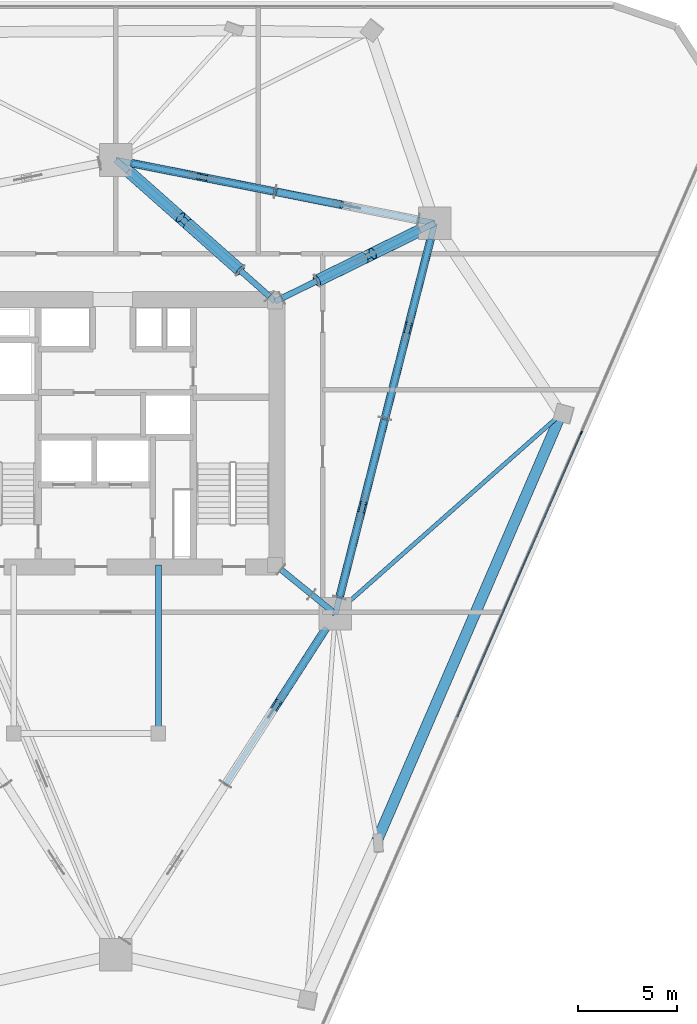
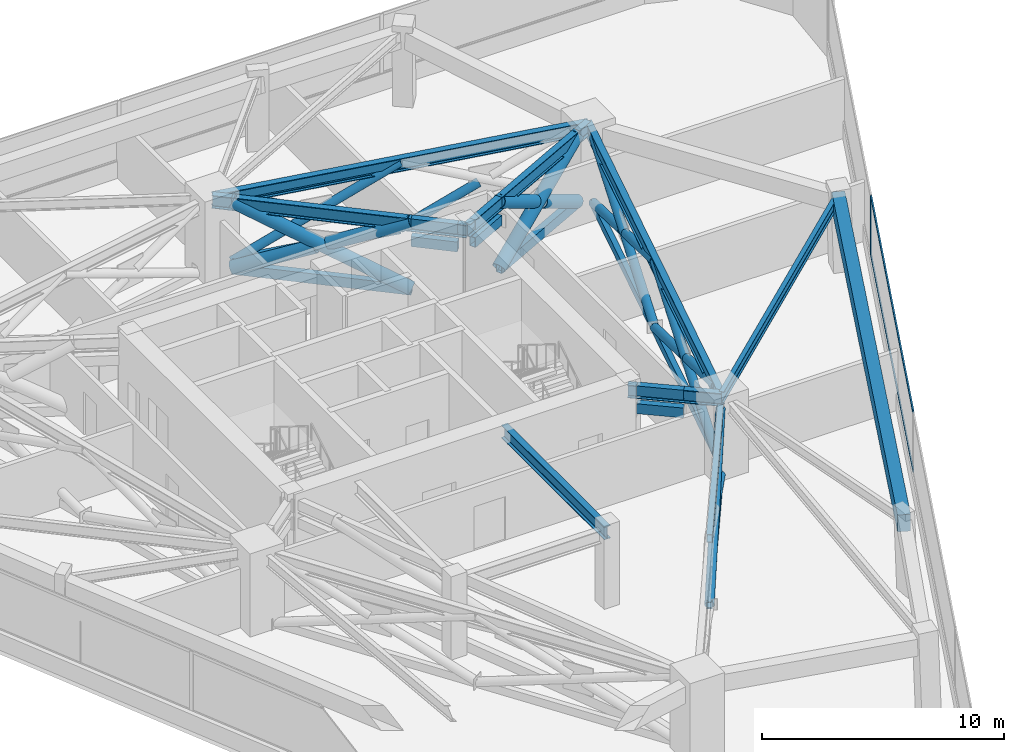
# One storey, part 6 of 15: 39 members, 8 beams, 1 element without a shape of its own.
"""IFC4 building model written with IfcOpenShell, lengths in metres."""

from ifc_helpers import new_model, si_unit, direction, frame, origin, origin_2d, place, context, subcontext, project, spatial, rectangle, hollow_rectangle, hollow_circle, i_section, extrude, material, layer, layer_set, material_profile, profile_set, type_object, element, aggregate, save


model = new_model("IFC4")

# Units and contexts
model_context = context("Model", 3, precision=1e-05, world=origin(), true_north=direction((0.0, 1.0)))
body_context = subcontext(model_context, "Body", "Model", "MODEL_VIEW")
ifc_project = project(units=[si_unit("LENGTHUNIT", "METRE"), si_unit("AREAUNIT", "SQUARE_METRE"), si_unit("VOLUMEUNIT", "CUBIC_METRE"), si_unit("PLANEANGLEUNIT", "RADIAN"), si_unit("MASSUNIT", "GRAM", prefix="KILO")], contexts=[model_context])

# Site, building, storey
site_placement = place(None, origin())
site = spatial("IfcSite", under=ifc_project, at=site_placement, CompositionType="ELEMENT")
building_placement = place(site_placement, origin())
building = spatial("IfcBuilding", under=site, at=building_placement, Name="Talyreon Biosciences Tower", CompositionType="ELEMENT")
storey_placement = place(building_placement, frame((0.0, 0.0, 118.800048828125)))
storey = spatial("IfcBuildingStorey", under=building, at=storey_placement, Name="L31", CompositionType="ELEMENT", Elevation=118.800048828125)

# Members
ifc_material_1 = material(Name="Steel SM355", Category="steel")
ifc_material_profile_1 = material_profile(ifc_material_1, hollow_circle(Radius=0.203125, WallThickness=0.01611328125, at=origin_2d()), Name="CHS 406.4x16")
ifc_profile_set_1 = profile_set([ifc_material_profile_1], Name="Steel SM355")
member_type_1 = type_object("IfcMemberType", Name="BeltBrace_CHS406", PredefinedType="BRACE", material=ifc_profile_set_1)
member_1_placement = place(storey_placement, frame((71.543212890625, 50.273681640625, 0.239990234375), z_axis=(0.509871001438, 0.791703591242, 0.336507036342), x_axis=(-0.840734422786, 0.54144771709, 0.0)))
element("IfcMember", 1, at=member_1_placement, inside=storey, type_object=member_type_1, Name="L31 Continuous Diagonal BELT-L31-B1S2A", PredefinedType="BRACE", context=body_context, shape_type="SweptSolid", body=[
    extrude(hollow_circle(Radius=0.203125, WallThickness=0.01611328125, at=origin_2d()), origin(), (0.0, 0.0, 1.0), 9.984619140625),
])
member_2_placement = place(storey_placement, frame((76.634033203125, 58.178466796875, 0.239990234375), z_axis=(-0.509862655947, -0.791709302461, 0.336506244322), x_axis=(0.840740235019, -0.541438692024, 0.0)))
element("IfcMember", 2, at=member_2_placement, inside=storey, type_object=member_type_1, Name="L31 Split Diagonal BELT-L31-B1S2B-Lower", PredefinedType="BRACE", context=body_context, shape_type="SweptSolid", body=[
    extrude(hollow_circle(Radius=0.203125, WallThickness=0.01611328125, at=origin_2d()), origin(), (0.0, 0.0, 1.0), 4.712158203125),
])
member_3_placement = place(storey_placement, frame((77.2919921875, 59.689697265625, 0.239990234375), z_axis=(0.231985116449, 0.911900773757, 0.338555585638), x_axis=(-0.969131483005, 0.246544455723, 0.0)))
element("IfcMember", 3, at=member_3_placement, inside=storey, type_object=member_type_1, Name="L31 Continuous Diagonal BELT-L31-B2S1A", PredefinedType="BRACE", context=body_context, shape_type="SweptSolid", body=[
    extrude(hollow_circle(Radius=0.203125, WallThickness=0.01611328125, at=origin_2d()), origin(), (0.0, 0.0, 1.0), 9.924072265625),
])
member_4_placement = place(storey_placement, frame((79.59423828125, 68.739501953125, 0.239990234375), z_axis=(-0.231939292328, -0.911905203288, 0.338575050603), x_axis=(0.969143404198, -0.246497590455, 0.0)))
element("IfcMember", 4, at=member_4_placement, inside=storey, type_object=member_type_1, Name="L31 Split Diagonal BELT-L31-B2S1B-Lower", PredefinedType="BRACE", context=body_context, shape_type="SweptSolid", body=[
    extrude(hollow_circle(Radius=0.203125, WallThickness=0.01611328125, at=origin_2d()), origin(), (0.0, 0.0, 1.0), 4.681884765625),
])
member_5_placement = place(storey_placement, frame((78.378173828125, 63.959228515625, 2.0146484375), z_axis=(-0.231988630894, -0.911894173313, 0.338570955359), x_axis=(0.969130164181, -0.246549639778, 0.0)))
element("IfcMember", 5, at=member_5_placement, inside=storey, type_object=member_type_1, Name="L31 Split Diagonal BELT-L31-B2S1B-Upper", PredefinedType="BRACE", context=body_context, shape_type="SweptSolid", body=[
    extrude(hollow_circle(Radius=0.203125, WallThickness=0.01611328125, at=origin_2d()), origin(), (0.0, 0.0, 1.0), 4.68212890625),
])
member_6_placement = place(storey_placement, frame((79.59423828125, 68.739501953125, 0.239990234375), z_axis=(0.231979912328, 0.911904917295, 0.338547990823), x_axis=(-0.969133072128, 0.24653820902, 0.0)))
element("IfcMember", 6, at=member_6_placement, inside=storey, type_object=member_type_1, Name="L31 Continuous Diagonal BELT-L31-B2S2A", PredefinedType="BRACE", context=body_context, shape_type="SweptSolid", body=[
    extrude(hollow_circle(Radius=0.203125, WallThickness=0.01611328125, at=origin_2d()), origin(), (0.0, 0.0, 1.0), 9.92431640625),
])
for number, where, z_axis, x_axis, name in (
    (7, (81.896484375, 77.78955078125, 0.239990234375), (-0.231977600351, -0.911902956292, 0.338554857065), (0.969133532519, -0.246536399233, 0.0), "L31 Split Diagonal BELT-L31-B2S2B-Lower"),
    (8, (80.680419921875, 73.00927734375, 2.0146484375), (-0.231977600351, -0.911902956292, 0.338554857065), (0.969133532519, -0.246536399233, 0.0), "L31 Split Diagonal BELT-L31-B2S2B-Upper"),
):
    element("IfcMember", number, at=place(storey_placement, frame(where, z_axis=z_axis, x_axis=x_axis)), inside=storey, type_object=member_type_1, Name=name, PredefinedType="BRACE", context=body_context, shape_type="SweptSolid", body=[
        extrude(hollow_circle(Radius=0.203125, WallThickness=0.01611328125, at=origin_2d()), origin(), (0.0, 0.0, 1.0), 4.682373046875),
    ])
member_7_placement = place(storey_placement, frame((74.05126953125, 80.19384765625, 0.239990234375), z_axis=(0.892587728464, -0.176873117731, 0.414732500801), x_axis=(0.194378157845, 0.980926669916, 0.0)))
element("IfcMember", 9, at=member_7_placement, inside=storey, type_object=member_type_1, Name="L31 Split Diagonal BELT-L31-B3S1B-Lower", PredefinedType="BRACE", context=body_context, shape_type="SweptSolid", body=[
    extrude(hollow_circle(Radius=0.203125, WallThickness=0.01611328125, at=origin_2d()), origin(), (0.0, 0.0, 1.0), 3.77099609375),
])
member_8_placement = place(storey_placement, frame((74.05126953125, 80.19384765625, 0.239990234375), z_axis=(-0.892615454611, 0.176847723158, 0.414683654132), x_axis=(-0.194345495342, -0.980933141677, 0.0)))
element("IfcMember", 10, at=member_8_placement, inside=storey, type_object=member_type_1, Name="L31 Continuous Diagonal BELT-L31-B3S2A", PredefinedType="BRACE", context=body_context, shape_type="SweptSolid", body=[
    extrude(hollow_circle(Radius=0.203125, WallThickness=0.01611328125, at=origin_2d()), origin(), (0.0, 0.0, 1.0), 8.102294921875),
])
member_9_placement = place(storey_placement, frame((66.819091796875, 81.626708984375, 0.239990234375), z_axis=(0.892600888389, -0.176862897235, 0.414708535757), x_axis=(0.194364592806, 0.980929357835, 0.0)))
element("IfcMember", 11, at=member_9_placement, inside=storey, type_object=member_type_1, Name="L31 Split Diagonal BELT-L31-B3S2B-Lower", PredefinedType="BRACE", context=body_context, shape_type="SweptSolid", body=[
    extrude(hollow_circle(Radius=0.203125, WallThickness=0.01611328125, at=origin_2d()), origin(), (0.0, 0.0, 1.0), 3.771240234375),
])
member_10_placement = place(storey_placement, frame((70.68505859375, 80.860595703125, 2.0361328125), z_axis=(0.892635070428, -0.176804930181, 0.414659676972), x_axis=(0.194296135322, 0.980942919745, 0.0)))
element("IfcMember", 12, at=member_10_placement, inside=storey, type_object=member_type_1, Name="L31 Split Diagonal BELT-L31-B3S2B-Upper", PredefinedType="BRACE", context=body_context, shape_type="SweptSolid", body=[
    extrude(hollow_circle(Radius=0.203125, WallThickness=0.01611328125, at=origin_2d()), origin(), (0.0, 0.0, 1.0), 3.77099609375),
])
ifc_material_profile_2 = material_profile(ifc_material_1, hollow_rectangle(XDim=0.25, YDim=0.39990234375, WallThickness=0.01611328125, at=origin_2d()), Name="RHS 400x250x16")
ifc_profile_set_2 = profile_set([ifc_material_profile_2], Name="Steel SM355")
member_type_2 = type_object("IfcMemberType", Name="BeltChord_RHS400x250", PredefinedType="CHORD", material=ifc_profile_set_2)
for number, where, z_axis, x_axis, name in (
    (13, (71.543212890625, 50.273681640625, 0.239990234375), (0.54144771709, 0.840734422786, 0.0), (-0.840734422786, 0.54144771709, 0.0), "L31 Truss Bottom Chord BELT-L31-B1S2"),
    (14, (71.543212890625, 50.273681640625, 3.599853515625), (0.54144771709, 0.840734422786, 0.0), (-0.840734422786, 0.54144771709, 0.0), "L31 Truss Top Chord BELT-L31-B1S2"),
):
    element("IfcMember", number, at=place(storey_placement, frame(where, z_axis=z_axis, x_axis=x_axis)), inside=storey, type_object=member_type_2, Name=name, PredefinedType="CHORD", context=body_context, shape_type="SweptSolid", body=[
        extrude(hollow_rectangle(XDim=0.25, YDim=0.39990234375, WallThickness=0.01611328125, at=origin_2d()), origin(), (0.0, 0.0, 1.0), 9.40234375),
    ])
for number, where, z_axis, x_axis, name in (
    (15, (77.2919921875, 59.689697265625, 0.239990234375), (0.246544455723, 0.969131483005, 0.0), (-0.969131483005, 0.246544455723, 0.0), "L31 Truss Bottom Chord BELT-L31-B2S1"),
    (16, (77.2919921875, 59.689697265625, 3.599853515625), (0.246544455723, 0.969131483005, 0.0), (-0.969131483005, 0.246544455723, 0.0), "L31 Truss Top Chord BELT-L31-B2S1"),
):
    element("IfcMember", number, at=place(storey_placement, frame(where, z_axis=z_axis, x_axis=x_axis)), inside=storey, type_object=member_type_2, Name=name, PredefinedType="CHORD", context=body_context, shape_type="SweptSolid", body=[
        extrude(hollow_rectangle(XDim=0.25, YDim=0.39990234375, WallThickness=0.01611328125, at=origin_2d()), origin(), (0.0, 0.0, 1.0), 9.338134765625),
    ])
for number, where, z_axis, x_axis, name in (
    (17, (79.59423828125, 68.739501953125, 0.239990234375), (0.24653820902, 0.969133072128, 0.0), (-0.969133072128, 0.24653820902, 0.0), "L31 Truss Bottom Chord BELT-L31-B2S2"),
    (18, (79.59423828125, 68.739501953125, 3.599853515625), (0.24653820902, 0.969133072128, 0.0), (-0.969133072128, 0.24653820902, 0.0), "L31 Truss Top Chord BELT-L31-B2S2"),
):
    element("IfcMember", number, at=place(storey_placement, frame(where, z_axis=z_axis, x_axis=x_axis)), inside=storey, type_object=member_type_2, Name=name, PredefinedType="CHORD", context=body_context, shape_type="SweptSolid", body=[
        extrude(hollow_rectangle(XDim=0.25, YDim=0.39990234375, WallThickness=0.01611328125, at=origin_2d()), origin(), (0.0, 0.0, 1.0), 9.33837890625),
    ])
for number, where, z_axis, x_axis, name in (
    (19, (74.05126953125, 80.19384765625, 0.239990234375), (-0.980933141677, 0.194345495342, 0.0), (-0.194345495342, -0.980933141677, 0.0), "L31 Truss Bottom Chord BELT-L31-B3S2"),
    (20, (74.05126953125, 80.19384765625, 3.599853515625), (-0.980933141677, 0.194345495342, 0.0), (-0.194345495342, -0.980933141677, 0.0), "L31 Truss Top Chord BELT-L31-B3S2"),
):
    element("IfcMember", number, at=place(storey_placement, frame(where, z_axis=z_axis, x_axis=x_axis)), inside=storey, type_object=member_type_2, Name=name, PredefinedType="CHORD", context=body_context, shape_type="SweptSolid", body=[
        extrude(hollow_rectangle(XDim=0.25, YDim=0.39990234375, WallThickness=0.01611328125, at=origin_2d()), origin(), (0.0, 0.0, 1.0), 7.372802734375),
    ])

# Curtain wall, members
ifc_material_2 = material(Name="Thermally broken aluminium and low-E glazing", Category="aluminium")
ifc_layer = layer(ifc_material_2, 0.18994140625)
ifc_layer_set = layer_set([ifc_layer], Name="Thermally broken aluminium and low-E glazing")
curtain_wall_type = type_object("IfcCurtainWallType", Name="CurtainWall_Zone2Genomics", PredefinedType="NOTDEFINED", material=ifc_layer_set)
curtain_wall_placement = place(storey_placement, origin())
curtain_wall = element("IfcCurtainWall", 21, at=curtain_wall_placement, inside=storey, type_object=curtain_wall_type, Name="L31 Unitised Curtain Wall FCW-L31-08", PredefinedType="NOTDEFINED")
ifc_material_3 = material(Name="Anodised thermally broken aluminium", Category="aluminium")
ifc_material_profile_3 = material_profile(ifc_material_3, rectangle(XDim=0.06494140625, YDim=0.179931640625, at=origin_2d()), Name="ALUM MULLION 65x180")
ifc_profile_set_3 = profile_set([ifc_material_profile_3], Name="Anodised thermally broken aluminium")
member_type_3 = type_object("IfcMemberType", Name="CWMullion_65x180", PredefinedType="MULLION", material=ifc_profile_set_3)
member_11_placement = place(storey_placement, frame((89.50830078125, 68.009033203125, 0.81005859375), z_axis=(0.0, 0.0, 1.0), x_axis=(0.916416470178, -0.400226002637, 0.0)))
member_11 = element("IfcMember", 22, at=member_11_placement, type_object=member_type_3, Name="CW3 mullion 2", PredefinedType="MULLION", context=body_context, shape_type="SweptSolid", body=[
    extrude(rectangle(XDim=0.06494140625, YDim=0.179931640625, at=origin_2d()), origin(), (0.0, 0.0, 1.0), 3.039794921875),
])
ifc_material_profile_4 = material_profile(ifc_material_3, rectangle(XDim=0.06494140625, YDim=0.139892578125, at=origin_2d()), Name="ALUM TRANSOM 65x140")
ifc_profile_set_4 = profile_set([ifc_material_profile_4], Name="Anodised thermally broken aluminium")
member_type_4 = type_object("IfcMemberType", Name="CWTransom_65x140", PredefinedType="USERDEFINED", material=ifc_profile_set_4)
member_12_placement = place(storey_placement, frame((89.495361328125, 67.979248046875, 0.842529296875), z_axis=(-0.400225422207, -0.916416723668, 0.0), x_axis=(0.916416723668, -0.400225422207, 0.0)))
member_12 = element("IfcMember", 23, at=member_12_placement, type_object=member_type_4, Name="CW3 transom 2.1", ObjectType="TRANSOM", PredefinedType="USERDEFINED", context=body_context, shape_type="SweptSolid", body=[
    extrude(rectangle(XDim=0.06494140625, YDim=0.139892578125, at=origin_2d()), origin(), (0.0, 0.0, 1.0), 15.6064453125),
])
member_13_placement = place(storey_placement, frame((89.495361328125, 67.979248046875, 3.8173828125), z_axis=(-0.400225422207, -0.916416723668, 0.0), x_axis=(0.916416723668, -0.400225422207, 0.0)))
member_13 = element("IfcMember", 24, at=member_13_placement, type_object=member_type_4, Name="CW3 transom 2.2", ObjectType="TRANSOM", PredefinedType="USERDEFINED", context=body_context, shape_type="SweptSolid", body=[
    extrude(rectangle(XDim=0.06494140625, YDim=0.139892578125, at=origin_2d()), origin(), (0.0, 0.0, 1.0), 15.6064453125),
])
aggregate(curtain_wall, [member_11, member_12, member_13])

# Beam
ifc_material_4 = material(Name="Precast concrete C45/55", Category="concrete")
ifc_material_profile_5 = material_profile(ifc_material_4, rectangle(XDim=0.550048828125, YDim=0.85009765625, at=origin_2d()), Name="RCB 550x850")
ifc_profile_set_5 = profile_set([ifc_material_profile_5], Name="Precast concrete C45/55")
beam_type_1 = type_object("IfcBeamType", Name="ExpressedSpandrel_550x850", PredefinedType="SPANDREL", material=ifc_profile_set_5)
beam_1_placement = place(storey_placement, frame((79.193603515625, 47.421630859375, 3.425048828125), z_axis=(0.396208047133, 0.918160761189, 0.0), x_axis=(-0.918160761189, 0.396208047133, 0.0)))
element("IfcBeam", 25, at=beam_1_placement, inside=storey, type_object=beam_type_1, Name="L31 Expressed Horizontal Concrete Spandrel 03", PredefinedType="SPANDREL", context=body_context, shape_type="SweptSolid", body=[
    extrude(rectangle(XDim=0.550048828125, YDim=0.85009765625, at=origin_2d()), origin(), (0.0, 0.0, 1.0), 23.469482421875),
])

# Members
ifc_material_profile_6 = material_profile(ifc_material_1, hollow_circle(Radius=0.304931640625, WallThickness=0.02490234375, at=origin_2d()), Name="CHS 610x25")
ifc_profile_set_6 = profile_set([ifc_material_profile_6], Name="Steel SM355")
member_type_5 = type_object("IfcMemberType", Name="OutriggerBrace_CHS610", PredefinedType="BRACE", material=ifc_profile_set_6)
member_14_placement = place(storey_placement, frame((76.159912109375, 75.684814453125, 0.239990234375), z_axis=(0.77636504661, 0.380699926476, 0.502319500303), x_axis=(-0.440277334471, 0.897861831659, 0.0)))
element("IfcMember", 26, at=member_14_placement, inside=storey, type_object=member_type_5, Name="L31 Continuous Diagonal OUT-L31-R3A", PredefinedType="BRACE", context=body_context, shape_type="SweptSolid", body=[
    extrude(hollow_circle(Radius=0.304931640625, WallThickness=0.02490234375, at=origin_2d()), origin(), (0.0, 0.0, 1.0), 6.688720703125),
])
member_15_placement = place(storey_placement, frame((81.352783203125, 78.231201171875, 0.239990234375), z_axis=(-0.776359983648, -0.380731078692, 0.502303714408), x_axis=(0.440308692184, -0.897846454349, 0.0)))
element("IfcMember", 27, at=member_15_placement, inside=storey, type_object=member_type_5, Name="L31 Split Diagonal OUT-L31-R3B-Lower", PredefinedType="BRACE", context=body_context, shape_type="SweptSolid", body=[
    extrude(hollow_circle(Radius=0.304931640625, WallThickness=0.02490234375, at=origin_2d()), origin(), (0.0, 0.0, 1.0), 3.064453125),
])
member_16_placement = place(storey_placement, frame((78.538818359375, 76.851318359375, 2.060546875), z_axis=(-0.776351880615, -0.380686503036, 0.502350021272), x_axis=(0.440270838576, -0.897865016971, 0.0)))
element("IfcMember", 28, at=member_16_placement, inside=storey, type_object=member_type_5, Name="L31 Split Diagonal OUT-L31-R3B-Upper", PredefinedType="BRACE", context=body_context, shape_type="SweptSolid", body=[
    extrude(hollow_circle(Radius=0.304931640625, WallThickness=0.02490234375, at=origin_2d()), origin(), (0.0, 0.0, 1.0), 3.064208984375),
])
member_17_placement = place(storey_placement, frame((72.291748046875, 76.209228515625, 0.239990234375), z_axis=(-0.6839103492, 0.606509328721, 0.40547881379), x_axis=(-0.663501128105, -0.748175282272, 0.0)))
element("IfcMember", 29, at=member_17_placement, inside=storey, type_object=member_type_5, Name="L31 Continuous Diagonal OUT-L31-R4A", PredefinedType="BRACE", context=body_context, shape_type="SweptSolid", body=[
    extrude(hollow_circle(Radius=0.304931640625, WallThickness=0.02490234375, at=origin_2d()), origin(), (0.0, 0.0, 1.0), 8.2861328125),
])
for number, where, z_axis, x_axis, name in (
    (30, (66.624755859375, 81.23486328125, 0.239990234375), (0.683885852156, -0.606529204615, 0.405490400835), (0.663526602588, 0.74815269007, 0.0), "L31 Split Diagonal OUT-L31-R4B-Lower"),
    (31, (69.649658203125, 78.55224609375, 2.033447265625), (0.683919491278, -0.606502990001, 0.405472875258), (0.663492281756, 0.748183127349, 0.0), "L31 Split Diagonal OUT-L31-R4B-Upper"),
):
    element("IfcMember", number, at=place(storey_placement, frame(where, z_axis=z_axis, x_axis=x_axis)), inside=storey, type_object=member_type_5, Name=name, PredefinedType="BRACE", context=body_context, shape_type="SweptSolid", body=[
        extrude(hollow_circle(Radius=0.304931640625, WallThickness=0.02490234375, at=origin_2d()), origin(), (0.0, 0.0, 1.0), 3.863037109375),
    ])
ifc_material_profile_7 = material_profile(ifc_material_1, hollow_rectangle(XDim=0.300048828125, YDim=0.5, WallThickness=0.02001953125, at=origin_2d()), Name="RHS 500x300x20")
ifc_profile_set_7 = profile_set([ifc_material_profile_7], Name="Steel SM355")
member_type_6 = type_object("IfcMemberType", Name="OutriggerChord_RHS500x300", PredefinedType="CHORD", material=ifc_profile_set_7)
for number, where, z_axis, x_axis, name in (
    (32, (74.3486328125, 61.107177734375, 3.599853515625), (0.775764250479, -0.631022842438, 0.0), (0.631022842438, 0.775764250479, 0.0), "L31 Outrigger Core Top Tie 2"),
    (33, (74.3486328125, 61.107177734375, 2.699951171875), (0.775764250479, -0.631022842438, 0.0), (0.631022842438, 0.775764250479, 0.0), "L31 Outrigger Core Plenum Tie 2"),
):
    element("IfcMember", number, at=place(storey_placement, frame(where, z_axis=z_axis, x_axis=x_axis)), inside=storey, type_object=member_type_6, Name=name, PredefinedType="CHORD", context=body_context, shape_type="SweptSolid", body=[
        extrude(hollow_rectangle(XDim=0.300048828125, YDim=0.5, WallThickness=0.02001953125, at=origin_2d()), origin(), (0.0, 0.0, 1.0), 1.965087890625),
    ])
for number, where, z_axis, x_axis, name in (
    (34, (74.395751953125, 74.819580078125, 3.599853515625), (0.897830193079, 0.44034184947, 0.0), (-0.44034184947, 0.897830193079, 0.0), "L31 Outrigger Core Top Tie 3"),
    (35, (74.395751953125, 74.819580078125, 2.699951171875), (0.897830193079, 0.44034184947, 0.0), (-0.44034184947, 0.897830193079, 0.0), "L31 Outrigger Core Plenum Tie 3"),
):
    element("IfcMember", number, at=place(storey_placement, frame(where, z_axis=z_axis, x_axis=x_axis)), inside=storey, type_object=member_type_6, Name=name, PredefinedType="CHORD", context=body_context, shape_type="SweptSolid", body=[
        extrude(hollow_rectangle(XDim=0.300048828125, YDim=0.5, WallThickness=0.02001953125, at=origin_2d()), origin(), (0.0, 0.0, 1.0), 1.96484375),
    ])
for number, where, z_axis, x_axis, name in (
    (36, (76.159912109375, 75.684814453125, 0.239990234375), (0.897861831659, 0.440277334471, 0.0), (-0.440277334471, 0.897861831659, 0.0), "L31 Truss Bottom Chord OUT-L31-R3"),
    (37, (76.159912109375, 75.684814453125, 3.599853515625), (0.897861831659, 0.440277334471, 0.0), (-0.440277334471, 0.897861831659, 0.0), "L31 Truss Top Chord OUT-L31-R3"),
):
    element("IfcMember", number, at=place(storey_placement, frame(where, z_axis=z_axis, x_axis=x_axis)), inside=storey, type_object=member_type_6, Name=name, PredefinedType="CHORD", context=body_context, shape_type="SweptSolid", body=[
        extrude(hollow_rectangle(XDim=0.300048828125, YDim=0.5, WallThickness=0.02001953125, at=origin_2d()), origin(), (0.0, 0.0, 1.0), 5.78369140625),
    ])
for number, where, z_axis, x_axis, name in (
    (38, (73.761962890625, 74.905517578125, 3.599853515625), (-0.748203951934, 0.663468798294, 0.0), (-0.663468798294, -0.748203951934, 0.0), "L31 Outrigger Core Top Tie 4"),
    (39, (73.761962890625, 74.905517578125, 2.699951171875), (-0.748203951934, 0.663468798294, 0.0), (-0.663468798294, -0.748203951934, 0.0), "L31 Outrigger Core Plenum Tie 4"),
):
    element("IfcMember", number, at=place(storey_placement, frame(where, z_axis=z_axis, x_axis=x_axis)), inside=storey, type_object=member_type_6, Name=name, PredefinedType="CHORD", context=body_context, shape_type="SweptSolid", body=[
        extrude(hollow_rectangle(XDim=0.300048828125, YDim=0.5, WallThickness=0.02001953125, at=origin_2d()), origin(), (0.0, 0.0, 1.0), 1.965087890625),
    ])
for number, where, z_axis, x_axis, name in (
    (40, (72.291748046875, 76.209228515625, 0.239990234375), (-0.748175282272, 0.663501128105, 0.0), (-0.663501128105, -0.748175282272, 0.0), "L31 Truss Bottom Chord OUT-L31-R4"),
    (41, (72.291748046875, 76.209228515625, 3.599853515625), (-0.748175282272, 0.663501128105, 0.0), (-0.663501128105, -0.748175282272, 0.0), "L31 Truss Top Chord OUT-L31-R4"),
):
    element("IfcMember", number, at=place(storey_placement, frame(where, z_axis=z_axis, x_axis=x_axis)), inside=storey, type_object=member_type_6, Name=name, PredefinedType="CHORD", context=body_context, shape_type="SweptSolid", body=[
        extrude(hollow_rectangle(XDim=0.300048828125, YDim=0.5, WallThickness=0.02001953125, at=origin_2d()), origin(), (0.0, 0.0, 1.0), 7.574462890625),
    ])

# Beams
ifc_material_profile_8 = material_profile(ifc_material_1, i_section(OverallWidth=0.300048828125, OverallDepth=0.64990234375, WebThickness=0.01611328125, FlangeThickness=0.031005859375, FilletRadius=0.027099609375, at=origin_2d()), Name="HE650B")
ifc_profile_set_8 = profile_set([ifc_material_profile_8], Name="Steel SM355")
beam_type_2 = type_object("IfcBeamType", Name="SteelBeam_HE650B", PredefinedType="BEAM", material=ifc_profile_set_8)
beam_2_placement = place(storey_placement, frame((77.086181640625, 58.88037109375, 3.52490234375), z_axis=(0.246537082299, 0.969133358755, 0.0), x_axis=(-0.969133358755, 0.246537082299, 0.0)))
element("IfcBeam", 42, at=beam_2_placement, inside=storey, type_object=beam_type_2, Name="L31 Mega-Ring Girder 2", PredefinedType="BEAM", context=body_context, shape_type="SweptSolid", body=[
    extrude(i_section(OverallWidth=0.300048828125, OverallDepth=0.64990234375, WebThickness=0.01611328125, FlangeThickness=0.031005859375, FilletRadius=0.027099609375, at=origin_2d()), origin(), (0.0, 0.0, 1.0), 20.34619140625),
])
beam_3_placement = place(storey_placement, frame((82.102294921875, 78.5986328125, 3.52490234375), z_axis=(-0.980933730698, 0.194342522311, 0.0), x_axis=(-0.194342522311, -0.980933730698, 0.0)))
element("IfcBeam", 43, at=beam_3_placement, inside=storey, type_object=beam_type_2, Name="L31 Mega-Ring Girder 3", PredefinedType="BEAM", context=body_context, shape_type="SweptSolid", body=[
    extrude(i_section(OverallWidth=0.300048828125, OverallDepth=0.64990234375, WebThickness=0.01611328125, FlangeThickness=0.031005859375, FilletRadius=0.027099609375, at=origin_2d()), origin(), (0.0, 0.0, 1.0), 16.415283203125),
])
beam_4_placement = place(storey_placement, frame((74.050048828125, 61.35009765625, 3.52490234375), z_axis=(0.775755154013, -0.631034025249, 0.0), x_axis=(0.631034025249, 0.775755154013, 0.0)))
element("IfcBeam", 44, at=beam_4_placement, inside=storey, type_object=beam_type_2, Name="L31 Radial Primary Girder 2", PredefinedType="BEAM", context=body_context, shape_type="SweptSolid", body=[
    extrude(i_section(OverallWidth=0.300048828125, OverallDepth=0.64990234375, WebThickness=0.01611328125, FlangeThickness=0.031005859375, FilletRadius=0.027099609375, at=origin_2d()), origin(), (0.0, 0.0, 1.0), 3.913818359375),
])
beam_5_placement = place(storey_placement, frame((74.050048828125, 74.64990234375, 3.52490234375), z_axis=(0.897852360314, 0.440296648952, 0.0), x_axis=(-0.440296648952, 0.897852360314, 0.0)))
element("IfcBeam", 45, at=beam_5_placement, inside=storey, type_object=beam_type_2, Name="L31 Radial Primary Girder 3", PredefinedType="BEAM", context=body_context, shape_type="SweptSolid", body=[
    extrude(i_section(OverallWidth=0.300048828125, OverallDepth=0.64990234375, WebThickness=0.01611328125, FlangeThickness=0.031005859375, FilletRadius=0.027099609375, at=origin_2d()), origin(), (0.0, 0.0, 1.0), 8.96826171875),
])
beam_6_placement = place(storey_placement, frame((74.050048828125, 74.64990234375, 3.52490234375), z_axis=(-0.748178733955, 0.663497235908, 0.0), x_axis=(-0.663497235908, -0.748178733955, 0.0)))
element("IfcBeam", 46, at=beam_6_placement, inside=storey, type_object=beam_type_2, Name="L31 Radial Primary Girder 4", PredefinedType="BEAM", context=body_context, shape_type="SweptSolid", body=[
    extrude(i_section(OverallWidth=0.300048828125, OverallDepth=0.64990234375, WebThickness=0.01611328125, FlangeThickness=0.031005859375, FilletRadius=0.027099609375, at=origin_2d()), origin(), (0.0, 0.0, 1.0), 10.759521484375),
])
beam_7_placement = place(storey_placement, frame((68.14990234375, 52.840087890625, 3.52490234375), z_axis=(0.0, 1.0, 0.0), x_axis=(-1.0, 0.0, 0.0)))
element("IfcBeam", 47, at=beam_7_placement, inside=storey, type_object=beam_type_2, Name="L31 Crown Shaft Tie Girder E", PredefinedType="BEAM", context=body_context, shape_type="SweptSolid", body=[
    extrude(i_section(OverallWidth=0.300048828125, OverallDepth=0.64990234375, WebThickness=0.01611328125, FlangeThickness=0.031005859375, FilletRadius=0.027099609375, at=origin_2d()), origin(), (0.0, 0.0, 1.0), 8.510009765625),
])
ifc_material_profile_9 = material_profile(ifc_material_1, i_section(OverallWidth=0.2099609375, OverallDepth=0.550048828125, WebThickness=0.010986328125, FlangeThickness=0.01708984375, FilletRadius=0.02392578125, at=origin_2d()), Name="IPE550")
ifc_profile_set_9 = profile_set([ifc_material_profile_9], Name="Steel SM355")
beam_type_3 = type_object("IfcBeamType", Name="SteelJoist_IPE550", PredefinedType="JOIST", material=ifc_profile_set_9)
beam_8_placement = place(storey_placement, frame((77.086181640625, 58.88037109375, 3.574951171875), z_axis=(0.748998398477, 0.662571806735, 0.0), x_axis=(-0.662571806735, 0.748998398477, 0.0)))
element("IfcBeam", 48, at=beam_8_placement, inside=storey, type_object=beam_type_3, Name="L31 Radial Composite Floor Joist PC-SE2", PredefinedType="JOIST", context=body_context, shape_type="SweptSolid", body=[
    extrude(i_section(OverallWidth=0.2099609375, OverallDepth=0.550048828125, WebThickness=0.010986328125, FlangeThickness=0.01708984375, FilletRadius=0.02392578125, at=origin_2d()), origin(), (0.0, 0.0, 1.0), 15.228759765625),
])

save(model, "model.ifc")
